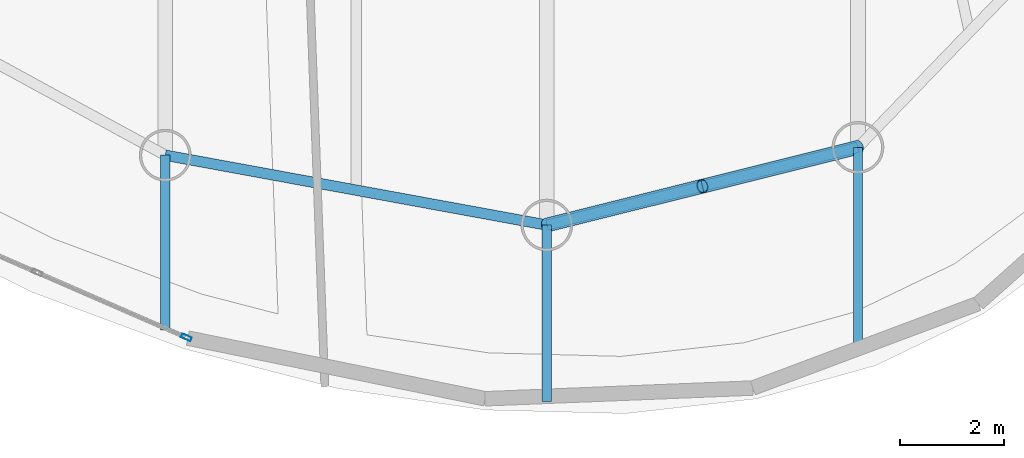
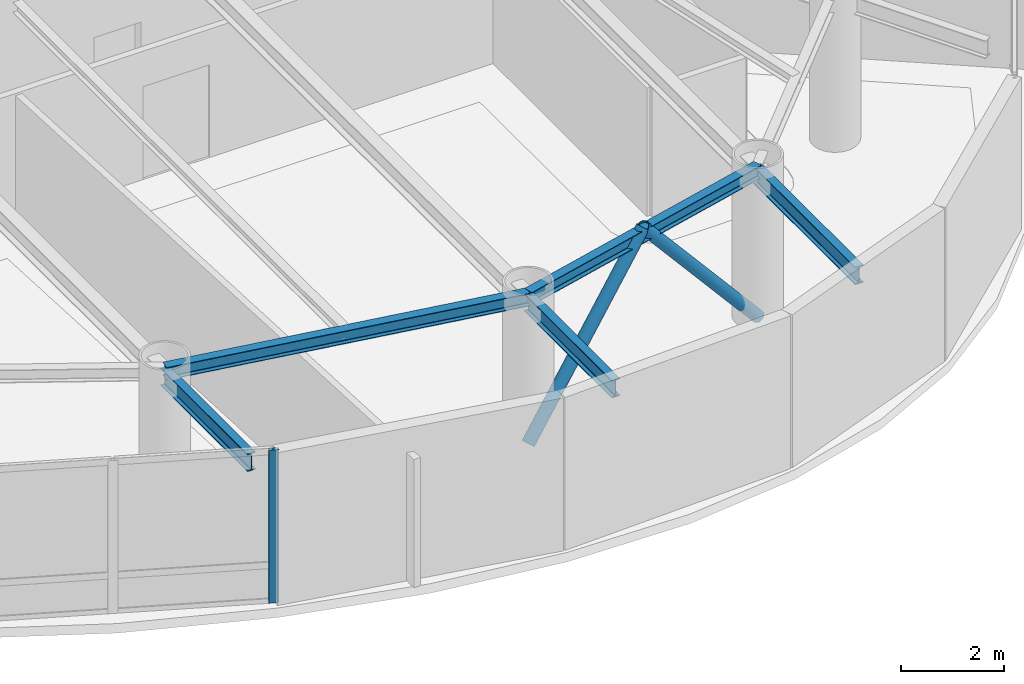
# One storey, part 4 of 20: 5 beams, 3 members, 1 element without a shape of its own.
"""IFC4 building model written with IfcOpenShell, lengths in metres."""

from ifc_helpers import new_model, si_unit, direction, frame, origin, origin_2d, place, context, subcontext, project, spatial, hollow_rectangle, hollow_circle, i_section, extrude, material, layer, layer_set, material_profile, profile_set, type_object, element, aggregate, save


model = new_model("IFC4")

# Units and contexts
model_context = context("Model", 3, precision=1e-05, world=origin(), true_north=direction((0.0, 1.0)))
body_context = subcontext(model_context, "Body", "Model", "MODEL_VIEW")
ifc_project = project(units=[si_unit("LENGTHUNIT", "METRE"), si_unit("AREAUNIT", "SQUARE_METRE"), si_unit("VOLUMEUNIT", "CUBIC_METRE"), si_unit("PLANEANGLEUNIT", "RADIAN"), si_unit("MASSUNIT", "GRAM", prefix="KILO")], contexts=[model_context])

# Site, building, storey
site_placement = place(None, origin())
site = spatial("IfcSite", under=ifc_project, at=site_placement, CompositionType="ELEMENT")
building_placement = place(site_placement, origin())
building = spatial("IfcBuilding", under=site, at=building_placement, Name="Bramvorn Convention Spire", CompositionType="ELEMENT")
storey_placement = place(building_placement, frame((0.0, 0.0, 269.0)))
storey = spatial("IfcBuildingStorey", under=building, at=storey_placement, Name="L68", CompositionType="ELEMENT", Elevation=269.0)

# Beams
ifc_material_1 = material(Name="Steel CSA G40.21 Grade 350 (350W)", Category="steel")
ifc_material_profile_1 = material_profile(ifc_material_1, i_section(OverallWidth=0.202880859375, OverallDepth=0.302978515625, WebThickness=0.007568359375, FlangeThickness=0.01318359375, FilletRadius=0.013916015625, at=origin_2d()))
ifc_profile_set_1 = profile_set([ifc_material_profile_1], Name="Steel CSA G40.21 Grade 350 (350W) - W310X60")
beam_type_1 = type_object("IfcBeamType", Name="BM-W310X60", PredefinedType="JOIST", material=ifc_profile_set_1)
beam_1_placement = place(storey_placement, frame((35.8154296875, 6.44921875, 3.473388671875), z_axis=(0.983645049461, -0.180117785547, 0.0), x_axis=(0.180117785547, 0.983645049461, 0.0)))
element("IfcBeam", 1, at=beam_1_placement, inside=storey, type_object=beam_type_1, Name="L68 mega-column ring beam 15", PredefinedType="JOIST", context=body_context, shape_type="SweptSolid", body=[
    extrude(i_section(OverallWidth=0.202880859375, OverallDepth=0.302978515625, WebThickness=0.007568359375, FlangeThickness=0.01318359375, FilletRadius=0.013916015625, at=origin_2d()), origin(), (0.0, 0.0, 1.0), 7.49560546875),
])
beam_2_placement = place(storey_placement, frame((43.1884765625, 5.09912109375, 3.473388671875), z_axis=(0.970177255997, 0.24239655927, 0.0), x_axis=(-0.24239655927, 0.970177255997, 0.0)))
element("IfcBeam", 2, at=beam_2_placement, inside=storey, type_object=beam_type_1, Name="L68 mega-column ring beam 16", PredefinedType="JOIST", context=body_context, shape_type="SweptSolid", body=[
    extrude(i_section(OverallWidth=0.202880859375, OverallDepth=0.302978515625, WebThickness=0.007568359375, FlangeThickness=0.01318359375, FilletRadius=0.013916015625, at=origin_2d()), origin(), (0.0, 0.0, 1.0), 6.1962890625),
])
ifc_material_profile_2 = material_profile(ifc_material_1, i_section(OverallWidth=0.180908203125, OverallDepth=0.4169921875, WebThickness=0.010986328125, FlangeThickness=0.018310546875, FilletRadius=0.01611328125, at=origin_2d()))
ifc_profile_set_2 = profile_set([ifc_material_profile_2], Name="Steel CSA G40.21 Grade 350 (350W) - W410X85")
beam_type_2 = type_object("IfcBeamType", Name="BM-W410X85", PredefinedType="JOIST", material=ifc_profile_set_2)
beam_3_placement = place(storey_placement, frame((49.199951171875, 6.60107421875, 3.37646484375), z_axis=(0.0, -1.0, 0.0), x_axis=(1.0, 0.0, 0.0)))
element("IfcBeam", 3, at=beam_3_placement, inside=storey, type_object=beam_type_2, Name="L68 Sky-Garden cantilever tip girder MC01", PredefinedType="JOIST", context=body_context, shape_type="SweptSolid", body=[
    extrude(i_section(OverallWidth=0.180908203125, OverallDepth=0.4169921875, WebThickness=0.010986328125, FlangeThickness=0.018310546875, FilletRadius=0.01611328125, at=origin_2d()), origin(), (0.0, 0.0, 1.0), 3.9501953125),
])
beam_4_placement = place(storey_placement, frame((35.8154296875, 6.44921875, 3.37646484375), z_axis=(0.0, -1.0, 0.0), x_axis=(1.0, 0.0, 0.0)))
element("IfcBeam", 4, at=beam_4_placement, inside=storey, type_object=beam_type_2, Name="L68 Sky-Garden cantilever tip girder MC15", PredefinedType="JOIST", context=body_context, shape_type="SweptSolid", body=[
    extrude(i_section(OverallWidth=0.180908203125, OverallDepth=0.4169921875, WebThickness=0.010986328125, FlangeThickness=0.018310546875, FilletRadius=0.01611328125, at=origin_2d()), origin(), (0.0, 0.0, 1.0), 3.3759765625),
])
beam_5_placement = place(storey_placement, frame((43.1884765625, 5.09912109375, 3.37646484375), z_axis=(0.0, -1.0, 0.0), x_axis=(1.0, 0.0, 0.0)))
element("IfcBeam", 5, at=beam_5_placement, inside=storey, type_object=beam_type_2, Name="L68 Sky-Garden cantilever tip girder MC16", PredefinedType="JOIST", context=body_context, shape_type="SweptSolid", body=[
    extrude(i_section(OverallWidth=0.180908203125, OverallDepth=0.4169921875, WebThickness=0.010986328125, FlangeThickness=0.018310546875, FilletRadius=0.01611328125, at=origin_2d()), origin(), (0.0, 0.0, 1.0), 3.407470703125),
])

# Curtain wall, member
ifc_material_2 = material(Name="Anodised Bronze Unitised Curtain Wall", Category="aluminium")
ifc_layer = layer(ifc_material_2, 0.179931640625)
ifc_layer_set = layer_set([ifc_layer], Name="Anodised Bronze Unitised Curtain Wall - CW-OFF-FRIT")
curtain_wall_type = type_object("IfcCurtainWallType", Name="CW-OFF-FRIT", PredefinedType="USERDEFINED", material=ifc_layer_set)
curtain_wall_placement = place(storey_placement, origin())
curtain_wall = element("IfcCurtainWall", 6, at=curtain_wall_placement, inside=storey, type_object=curtain_wall_type, Name="L68 fritted glass curtain wall 21", ObjectType="UNITISED CURTAIN WALL", PredefinedType="USERDEFINED")
ifc_material_3 = material(Name="Anodised Bronze Aluminium 6063-T6", Category="aluminium")
ifc_material_profile_3 = material_profile(ifc_material_3, hollow_rectangle(XDim=0.080078125, YDim=0.199951171875, WallThickness=0.00390625, InnerFilletRadius=0.0009765625, OuterFilletRadius=0.00390625, at=origin_2d()))
ifc_profile_set_3 = profile_set([ifc_material_profile_3], Name="Anodised Bronze Aluminium 6063-T6 - CWM80X200")
member_type_1 = type_object("IfcMemberType", Name="CW-MUL-180", PredefinedType="MULLION", material=ifc_profile_set_3)
member_placement = place(storey_placement, frame((36.224365234375, 2.927490234375, 0.0), z_axis=(0.0, 0.0, 1.0), x_axis=(-0.399088558524, -0.916912385376, 0.0)))
member = element("IfcMember", 7, at=member_placement, type_object=member_type_1, Name="CW3 mullion 1", PredefinedType="MULLION", context=body_context, shape_type="SweptSolid", body=[
    extrude(hollow_rectangle(XDim=0.080078125, YDim=0.199951171875, WallThickness=0.00390625, InnerFilletRadius=0.0009765625, OuterFilletRadius=0.00390625, at=origin_2d()), origin(), (0.0, 0.0, 1.0), 3.625),
])
aggregate(curtain_wall, [member])

# Members
ifc_material_profile_4 = material_profile(ifc_material_1, hollow_circle(Radius=0.136474609375, WallThickness=0.0126953125, at=origin_2d()))
ifc_profile_set_4 = profile_set([ifc_material_profile_4], Name="Steel CSA G40.21 Grade 350 (350W) - CHS273X13")
member_type_2 = type_object("IfcMemberType", Name="MBR-CHS273X13", PredefinedType="BRACE", material=ifc_profile_set_4)
for number, where, z_axis, x_axis, name in (
    (8, (43.1884765625, 5.09912109375, 0.0), (0.630340941886, 0.157482840906, 0.760177250253), (-0.242387293712, 0.970179570929, 0.0), "L68 perimeter Gothic lancet brace 16A"),
    (9, (49.199951171875, 6.60107421875, 0.0), (-0.630310085311, -0.157487923192, 0.76020178269), (0.242405825514, -0.9701749408, 0.0), "L68 perimeter Gothic lancet brace 16B"),
):
    element("IfcMember", number, at=place(storey_placement, frame(where, z_axis=z_axis, x_axis=x_axis)), inside=storey, type_object=member_type_2, Name=name, PredefinedType="BRACE", context=body_context, shape_type="SweptSolid", body=[
        extrude(hollow_circle(Radius=0.136474609375, WallThickness=0.0126953125, at=origin_2d()), origin(), (0.0, 0.0, 1.0), 4.7685546875),
    ])

save(model, "model.ifc")
